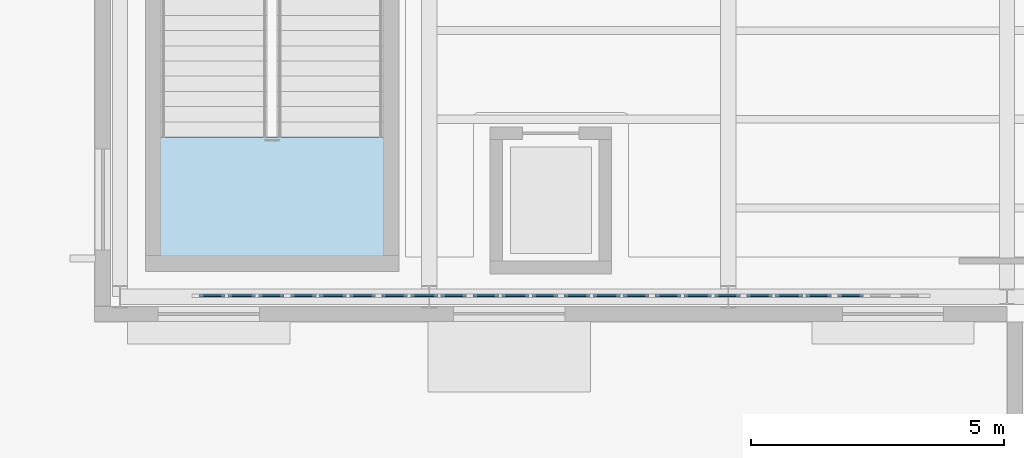
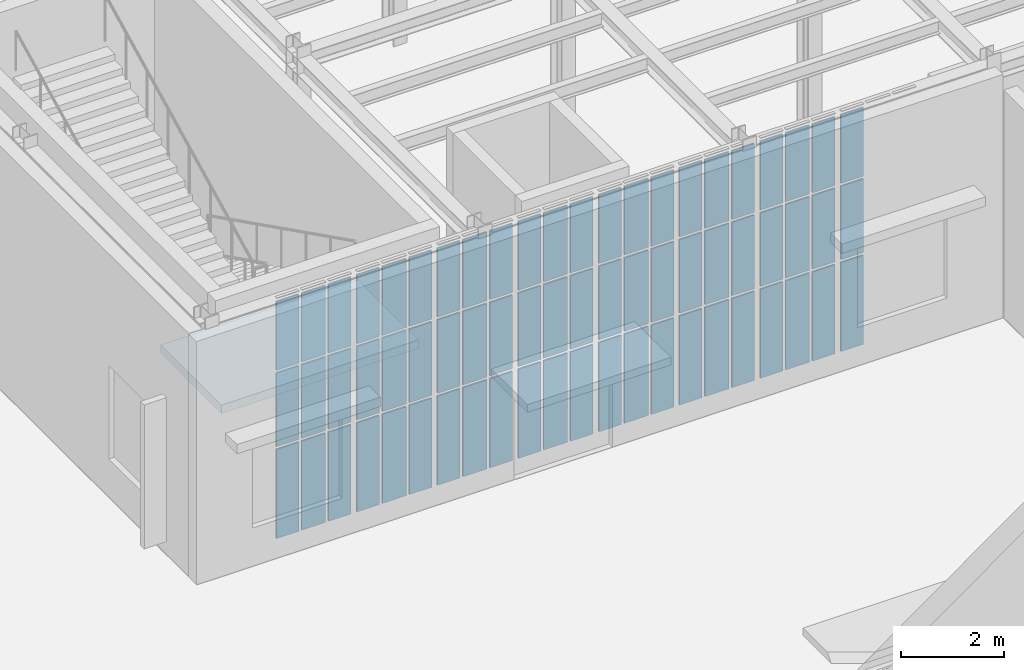
# One storey, part 75 of 118: 66 plates, 1 slab, 9 elements without a shape of their own.
"""IFC4 building model written with IfcOpenShell, lengths in metres."""

import ifcopenshell
import ifcopenshell.guid

model = None  # the IFC model being written
_history = None  # IfcOwnerHistory: only IFC2X3 demands one
_inside = {}  # id of a spatial element -> (the spatial element, [elements in it])
_under = {}  # id of a project, library or spatial element -> (it, [spatial elements below it])
_declared = {}  # id of a project -> (the project, [libraries it declares])
_typed = {}  # id of a type object -> (the type object, [elements of that type])
_made_of = {}  # id of a material, layer set ... -> (it, [elements and type objects made of it])


def new_model(schema):
    """Start an empty IFC model of exactly this schema.

    Asked for "IFC4X3", IfcOpenShell would pick the latest addendum, in which some entities
    have other attributes; the version numbers below select the first issue.
    IFC2X3 requires an IfcOwnerHistory on every rooted entity: one is made here for all.
    """
    global model, _history
    if schema == "IFC4X3":
        model = ifcopenshell.file(schema_version=(4, 3, 0, 0))
    else:
        model = ifcopenshell.file(schema=schema)
    _inside.clear()
    _under.clear()
    _declared.clear()
    _typed.clear()
    _made_of.clear()
    _history = None
    if model.schema == "IFC2X3":
        org = make("IfcOrganization", Name="unknown")
        user = make(
            "IfcPersonAndOrganization",
            ThePerson=make("IfcPerson", FamilyName="unknown"),
            TheOrganization=org,
        )
        app = make(
            "IfcApplication",
            ApplicationDeveloper=org,
            Version="unknown",
            ApplicationFullName="unknown",
            ApplicationIdentifier="unknown",
        )
        _history = make(
            "IfcOwnerHistory",
            OwningUser=user,
            OwningApplication=app,
            ChangeAction="ADDED",
            CreationDate=0,
        )
    return model


def make(cls, **values):
    """One entity of the class cls with the attributes given. An attribute that is None is left unset."""
    return model.create_entity(
        cls, **{name: value for name, value in values.items() if value is not None}
    )


def rooted(cls, **values):
    """An entity with a GlobalId (a new one), such as an element, a storey or a relation."""
    return make(cls, GlobalId=ifcopenshell.guid.new(), OwnerHistory=_history, **values)


def si_unit(unit_type, name, prefix=None):
    """IfcSIUnit, for example si_unit("LENGTHUNIT", "METRE", prefix="MILLI")."""
    return make("IfcSIUnit", UnitType=unit_type, Prefix=prefix, Name=name)


def assignment(units):
    """IfcUnitAssignment: the units of a project."""
    return None if units is None else make("IfcUnitAssignment", Units=units)


def point(xyz):
    """IfcCartesianPoint."""
    return None if xyz is None else make("IfcCartesianPoint", Coordinates=xyz)


def direction(xyz):
    """IfcDirection."""
    return None if xyz is None else make("IfcDirection", DirectionRatios=xyz)


def frame(location, z_axis=None, x_axis=None):
    """IfcAxis2Placement3D, a coordinate frame: its origin and axes. An axis left out is left unset."""
    return make(
        "IfcAxis2Placement3D",
        Location=point(location),
        Axis=direction(z_axis),
        RefDirection=direction(x_axis),
    )


def frame_2d(location, x_axis=None):
    """IfcAxis2Placement2D, a coordinate frame in the plane: its origin and x axis."""
    return make(
        "IfcAxis2Placement2D", Location=point(location), RefDirection=direction(x_axis)
    )


def origin():
    """The frame at (0, 0, 0) with its axes left unset."""
    return frame((0.0, 0.0, 0.0))


def origin_2d():
    """The frame at (0, 0) in the plane with its x axis left unset."""
    return frame_2d((0.0, 0.0))


def place(relative_to, where):
    """IfcLocalPlacement: puts the frame where relative to a parent placement (None: the world)."""
    return make(
        "IfcLocalPlacement", PlacementRelTo=relative_to, RelativePlacement=where
    )


def context(
    kind, dimensions, precision=None, world=None, true_north=None, identifier=None
):
    """IfcGeometricRepresentationContext, for example the 3D "Model" context."""
    return make(
        "IfcGeometricRepresentationContext",
        ContextIdentifier=identifier,
        ContextType=kind,
        CoordinateSpaceDimension=dimensions,
        Precision=precision,
        WorldCoordinateSystem=world,
        TrueNorth=true_north,
    )


def subcontext(parent, identifier, kind, view, scale=None):
    """IfcGeometricRepresentationSubContext, for example "Body" below "Model"."""
    return make(
        "IfcGeometricRepresentationSubContext",
        ContextIdentifier=identifier,
        ContextType=kind,
        ParentContext=parent,
        TargetScale=scale,
        TargetView=view,
    )


def project(units=None, contexts=None):
    """IfcProject with its units and contexts."""
    return rooted(
        "IfcProject",
        Name="project",
        RepresentationContexts=contexts,
        UnitsInContext=assignment(units),
    )


def spatial(cls, under=None, at=None, **own):
    """A site, building, storey or space (cls), placed at a placement, below another one or the project."""
    s = rooted(cls, ObjectPlacement=at, **own)
    if under is not None:
        _under.setdefault(under.id(), (under, []))[1].append(s)
    return s


def polyline(points):
    """IfcPolyline through the points."""
    return make("IfcPolyline", Points=[point(p) for p in points])


def profile(cls, at=None, kind="AREA", **sizes):
    """A parametric profile (cls). Its sizes go by their IFC names, for example OverallWidth=200.0."""
    return make(cls, ProfileType=kind, Position=at, **sizes)


def rectangle(**sizes):
    """IfcRectangleProfileDef."""
    return profile("IfcRectangleProfileDef", **sizes)


def outline(outer, holes=None, kind="AREA"):
    """IfcArbitraryClosedProfileDef: a profile drawn as a closed curve; with holes, ...WithVoids."""
    if holes is None:
        return make("IfcArbitraryClosedProfileDef", ProfileType=kind, OuterCurve=outer)
    return make(
        "IfcArbitraryProfileDefWithVoids",
        ProfileType=kind,
        OuterCurve=outer,
        InnerCurves=holes,
    )


def extrude(swept, where, along, depth):
    """IfcExtrudedAreaSolid: the profile swept, set in the frame where, extruded along a direction by depth."""
    return make(
        "IfcExtrudedAreaSolid",
        SweptArea=swept,
        Position=where,
        ExtrudedDirection=direction(along),
        Depth=depth,
    )


def shape(context_of_items, identifier, shape_type, items):
    """IfcShapeRepresentation: the items that make up one representation, for example the "Body"."""
    return make(
        "IfcShapeRepresentation",
        ContextOfItems=context_of_items,
        RepresentationIdentifier=identifier,
        RepresentationType=shape_type,
        Items=items,
    )


def material(Name=None, Category=None):
    """IfcMaterial."""
    return make("IfcMaterial", Name=Name, Category=Category)


def layer(
    of_material, thickness, ventilated=None, Name=None, Category=None, Priority=None
):
    """IfcMaterialLayer: one layer of a wall or slab, of a material (None: an air gap)."""
    return make(
        "IfcMaterialLayer",
        Material=of_material,
        LayerThickness=thickness,
        IsVentilated=ventilated,
        Name=Name,
        Category=Category,
        Priority=Priority,
    )


def layer_set(layers, Name=None):
    """IfcMaterialLayerSet."""
    return make("IfcMaterialLayerSet", MaterialLayers=layers, LayerSetName=Name)


def made_of(thing, what):
    """Note that an element or type object is made of a material, layer set ...; save() writes the relation."""
    if what is not None:
        _made_of.setdefault(what.id(), (what, []))[1].append(thing)
    return thing


def type_object(cls, material=None, **own):
    """A type object (cls), such as IfcWallType, which elements share."""
    return made_of(rooted(cls, **own), material)


def element(
    cls,
    number,
    at=None,
    inside=None,
    cuts=None,
    type_object=None,
    material=None,
    context=None,
    identifier="Body",
    shape_type=None,
    held_by="IfcProductDefinitionShape",
    body=None,
    shapes=None,
    **own,
):
    """One element of the class cls, such as IfcWall. Its Tag is "e" and its number.

    at: its placement. inside: the storey or other place that contains it. cuts: it is an
    opening in that element (IfcRelVoidsElement). A single representation is given by context,
    identifier, shape_type and body (its items); several are given by shapes. held_by: the class
    of the entity that holds the representations. save() writes the other relations.
    """
    e = rooted(cls, Tag="e%d" % number, ObjectPlacement=at, **own)
    if body is not None:
        shapes = [shape(context, identifier, shape_type, body)]
    if shapes is not None:
        e.Representation = make(held_by, Representations=shapes)
    if inside is not None:
        _inside.setdefault(inside.id(), (inside, []))[1].append(e)
    if cuts is not None:
        rooted(
            "IfcRelVoidsElement", RelatingBuildingElement=cuts, RelatedOpeningElement=e
        )
    if type_object is not None:
        _typed.setdefault(type_object.id(), (type_object, []))[1].append(e)
    return made_of(e, material)


def aggregate(whole, parts):
    """IfcRelAggregates: a whole, such as a stair, and the parts it consists of."""
    return rooted("IfcRelAggregates", RelatingObject=whole, RelatedObjects=parts)


def save(model, path):
    """Write the relations noted so far, then the file.

    IfcRelAggregates (storeys below a building ...), IfcRelContainedInSpatialStructure (elements
    in a storey), IfcRelDefinesByType, IfcRelAssociatesMaterial and IfcRelDeclares: one each for
    every whole, place, type object, material and project.
    """
    for whole, parts in _under.values():
        aggregate(whole, parts)
    for where, things in _inside.values():
        rooted(
            "IfcRelContainedInSpatialStructure",
            RelatedElements=things,
            RelatingStructure=where,
        )
    for kind, things in _typed.values():
        rooted("IfcRelDefinesByType", RelatedObjects=things, RelatingType=kind)
    for what, things in _made_of.values():
        rooted("IfcRelAssociatesMaterial", RelatedObjects=things, RelatingMaterial=what)
    for by, libraries in _declared.values():
        rooted("IfcRelDeclares", RelatingContext=by, RelatedDefinitions=libraries)
    model.write(path)


model = new_model("IFC4")

# Units and contexts
model_context = context("Model", 3, precision=1e-05, world=origin(), true_north=direction((0.0, 1.0)))
body_context = subcontext(model_context, "Body", "Model", "MODEL_VIEW")
ifc_project = project(units=[si_unit("LENGTHUNIT", "METRE"), si_unit("AREAUNIT", "SQUARE_METRE"), si_unit("VOLUMEUNIT", "CUBIC_METRE"), si_unit("PLANEANGLEUNIT", "RADIAN"), si_unit("MASSUNIT", "GRAM", prefix="KILO")], contexts=[model_context])

# Site, building, storey
site_placement = place(None, origin())
site = spatial("IfcSite", under=ifc_project, at=site_placement, CompositionType="ELEMENT")
building_placement = place(site_placement, origin())
building = spatial("IfcBuilding", under=site, at=building_placement, Name="Kolvaren Corner Interchange", CompositionType="ELEMENT")
storey_placement = place(building_placement, origin())
storey = spatial("IfcBuildingStorey", under=building, at=storey_placement, Name="L01", CompositionType="ELEMENT", Elevation=0.0)

# Curtain wall, plates
ifc_material_1 = material(Name="Unitised Aluminium and Solar-Control Glass Curtain Wall", Category="aluminium")
curtain_wall_type = type_object("IfcCurtainWallType", Name="CW-V3-CYCLE", PredefinedType="NOTDEFINED", material=ifc_material_1)
curtain_wall_1_placement = place(storey_placement, origin())
curtain_wall_1 = element("IfcCurtainWall", 1, at=curtain_wall_1_placement, inside=storey, type_object=curtain_wall_type, Name="Cycle Showcase Ground Curtain Wall Bay 01", PredefinedType="NOTDEFINED")
ifc_material_2 = material(Name="Low-E Solar-Control Laminated Glass", Category="glass")
ifc_layer_1 = layer(ifc_material_2, 0.035888671875)
ifc_layer_set_1 = layer_set([ifc_layer_1], Name="Low-E Solar-Control Laminated Glass")
plate_type = type_object("IfcPlateType", Name="PLT-CW-GL32", PredefinedType="CURTAIN_PANEL", material=ifc_layer_set_1)
plate_1_placement = place(storey_placement, frame((68.316162109375, 84.52001953125, 0.06494140625), z_axis=(0.0, 0.0, 1.0), x_axis=(1.0, 0.0, 0.0)))
plate_1 = element("IfcPlate", 2, at=plate_1_placement, type_object=plate_type, Name="CW-106 panel 1.1", PredefinedType="CURTAIN_PANEL", context=body_context, shape_type="SweptSolid", body=[
    extrude(rectangle(XDim=0.50244140625, YDim=0.035888671875, at=origin_2d()), origin(), (0.0, 0.0, 1.0), 2.1025390625),
])
plate_2_placement = place(storey_placement, frame((68.316162109375, 84.52001953125, 2.232421875), z_axis=(0.0, 0.0, 1.0), x_axis=(1.0, 0.0, 0.0)))
plate_2 = element("IfcPlate", 3, at=plate_2_placement, type_object=plate_type, Name="CW-106 panel 1.2", PredefinedType="CURTAIN_PANEL", context=body_context, shape_type="SweptSolid", body=[
    extrude(rectangle(XDim=0.50244140625, YDim=0.035888671875, at=origin_2d()), origin(), (0.0, 0.0, 1.0), 1.735107421875),
])
plate_3_placement = place(storey_placement, frame((68.316162109375, 84.52001953125, 4.032470703125), z_axis=(0.0, 0.0, 1.0), x_axis=(1.0, 0.0, 0.0)))
plate_3 = element("IfcPlate", 4, at=plate_3_placement, type_object=plate_type, Name="CW-106 panel 1.3", PredefinedType="CURTAIN_PANEL", context=body_context, shape_type="SweptSolid", body=[
    extrude(rectangle(XDim=0.50244140625, YDim=0.035888671875, at=origin_2d()), origin(), (0.0, 0.0, 1.0), 1.62255859375),
])
plate_4_placement = place(storey_placement, frame((68.89990234375, 84.52001953125, 0.06494140625), z_axis=(0.0, 0.0, 1.0), x_axis=(1.0, 0.0, 0.0)))
plate_4 = element("IfcPlate", 5, at=plate_4_placement, type_object=plate_type, Name="CW-106 panel 2.1", PredefinedType="CURTAIN_PANEL", context=body_context, shape_type="SweptSolid", body=[
    extrude(rectangle(XDim=0.534912109375, YDim=0.035888671875, at=origin_2d()), origin(), (0.0, 0.0, 1.0), 2.1025390625),
])
plate_5_placement = place(storey_placement, frame((68.89990234375, 84.52001953125, 2.232421875), z_axis=(0.0, 0.0, 1.0), x_axis=(1.0, 0.0, 0.0)))
plate_5 = element("IfcPlate", 6, at=plate_5_placement, type_object=plate_type, Name="CW-106 panel 2.2", PredefinedType="CURTAIN_PANEL", context=body_context, shape_type="SweptSolid", body=[
    extrude(rectangle(XDim=0.534912109375, YDim=0.035888671875, at=origin_2d()), origin(), (0.0, 0.0, 1.0), 1.735107421875),
])
plate_6_placement = place(storey_placement, frame((68.89990234375, 84.52001953125, 4.032470703125), z_axis=(0.0, 0.0, 1.0), x_axis=(1.0, 0.0, 0.0)))
plate_6 = element("IfcPlate", 7, at=plate_6_placement, type_object=plate_type, Name="CW-106 panel 2.3", PredefinedType="CURTAIN_PANEL", context=body_context, shape_type="SweptSolid", body=[
    extrude(rectangle(XDim=0.534912109375, YDim=0.035888671875, at=origin_2d()), origin(), (0.0, 0.0, 1.0), 1.62255859375),
])
plate_7_placement = place(storey_placement, frame((69.483642578125, 84.52001953125, 0.06494140625), z_axis=(0.0, 0.0, 1.0), x_axis=(1.0, 0.0, 0.0)))
plate_7 = element("IfcPlate", 8, at=plate_7_placement, type_object=plate_type, Name="CW-106 panel 3.1", PredefinedType="CURTAIN_PANEL", context=body_context, shape_type="SweptSolid", body=[
    extrude(rectangle(XDim=0.50244140625, YDim=0.035888671875, at=origin_2d()), origin(), (0.0, 0.0, 1.0), 2.1025390625),
])
plate_8_placement = place(storey_placement, frame((69.483642578125, 84.52001953125, 2.232421875), z_axis=(0.0, 0.0, 1.0), x_axis=(1.0, 0.0, 0.0)))
plate_8 = element("IfcPlate", 9, at=plate_8_placement, type_object=plate_type, Name="CW-106 panel 3.2", PredefinedType="CURTAIN_PANEL", context=body_context, shape_type="SweptSolid", body=[
    extrude(rectangle(XDim=0.50244140625, YDim=0.035888671875, at=origin_2d()), origin(), (0.0, 0.0, 1.0), 1.735107421875),
])
plate_9_placement = place(storey_placement, frame((69.483642578125, 84.52001953125, 4.032470703125), z_axis=(0.0, 0.0, 1.0), x_axis=(1.0, 0.0, 0.0)))
plate_9 = element("IfcPlate", 10, at=plate_9_placement, type_object=plate_type, Name="CW-106 panel 3.3", PredefinedType="CURTAIN_PANEL", context=body_context, shape_type="SweptSolid", body=[
    extrude(rectangle(XDim=0.50244140625, YDim=0.035888671875, at=origin_2d()), origin(), (0.0, 0.0, 1.0), 1.62255859375),
])
aggregate(curtain_wall_1, [plate_1, plate_2, plate_3, plate_4, plate_5, plate_6, plate_7, plate_8, plate_9])

curtain_wall_2_placement = place(storey_placement, origin())
curtain_wall_2 = element("IfcCurtainWall", 11, at=curtain_wall_2_placement, inside=storey, type_object=curtain_wall_type, Name="Cycle Showcase Ground Curtain Wall Bay 02", PredefinedType="NOTDEFINED")
plate_10_placement = place(storey_placement, frame((70.1162109375, 84.52001953125, 0.06494140625), z_axis=(0.0, 0.0, 1.0), x_axis=(1.0, 0.0, 0.0)))
plate_10 = element("IfcPlate", 12, at=plate_10_placement, type_object=plate_type, Name="CW-107 panel 1.1", PredefinedType="CURTAIN_PANEL", context=body_context, shape_type="SweptSolid", body=[
    extrude(rectangle(XDim=0.50244140625, YDim=0.035888671875, at=origin_2d()), origin(), (0.0, 0.0, 1.0), 2.1025390625),
])
plate_11_placement = place(storey_placement, frame((70.1162109375, 84.52001953125, 2.232421875), z_axis=(0.0, 0.0, 1.0), x_axis=(1.0, 0.0, 0.0)))
plate_11 = element("IfcPlate", 13, at=plate_11_placement, type_object=plate_type, Name="CW-107 panel 1.2", PredefinedType="CURTAIN_PANEL", context=body_context, shape_type="SweptSolid", body=[
    extrude(rectangle(XDim=0.50244140625, YDim=0.035888671875, at=origin_2d()), origin(), (0.0, 0.0, 1.0), 1.735107421875),
])
plate_12_placement = place(storey_placement, frame((70.1162109375, 84.52001953125, 4.032470703125), z_axis=(0.0, 0.0, 1.0), x_axis=(1.0, 0.0, 0.0)))
plate_12 = element("IfcPlate", 14, at=plate_12_placement, type_object=plate_type, Name="CW-107 panel 1.3", PredefinedType="CURTAIN_PANEL", context=body_context, shape_type="SweptSolid", body=[
    extrude(rectangle(XDim=0.50244140625, YDim=0.035888671875, at=origin_2d()), origin(), (0.0, 0.0, 1.0), 1.62255859375),
])
plate_13_placement = place(storey_placement, frame((70.699951171875, 84.52001953125, 0.06494140625), z_axis=(0.0, 0.0, 1.0), x_axis=(1.0, 0.0, 0.0)))
plate_13 = element("IfcPlate", 15, at=plate_13_placement, type_object=plate_type, Name="CW-107 panel 2.1", PredefinedType="CURTAIN_PANEL", context=body_context, shape_type="SweptSolid", body=[
    extrude(rectangle(XDim=0.534912109375, YDim=0.035888671875, at=origin_2d()), origin(), (0.0, 0.0, 1.0), 2.1025390625),
])
plate_14_placement = place(storey_placement, frame((70.699951171875, 84.52001953125, 2.232421875), z_axis=(0.0, 0.0, 1.0), x_axis=(1.0, 0.0, 0.0)))
plate_14 = element("IfcPlate", 16, at=plate_14_placement, type_object=plate_type, Name="CW-107 panel 2.2", PredefinedType="CURTAIN_PANEL", context=body_context, shape_type="SweptSolid", body=[
    extrude(rectangle(XDim=0.534912109375, YDim=0.035888671875, at=origin_2d()), origin(), (0.0, 0.0, 1.0), 1.735107421875),
])
plate_15_placement = place(storey_placement, frame((70.699951171875, 84.52001953125, 4.032470703125), z_axis=(0.0, 0.0, 1.0), x_axis=(1.0, 0.0, 0.0)))
plate_15 = element("IfcPlate", 17, at=plate_15_placement, type_object=plate_type, Name="CW-107 panel 2.3", PredefinedType="CURTAIN_PANEL", context=body_context, shape_type="SweptSolid", body=[
    extrude(rectangle(XDim=0.534912109375, YDim=0.035888671875, at=origin_2d()), origin(), (0.0, 0.0, 1.0), 1.62255859375),
])
plate_16_placement = place(storey_placement, frame((71.28369140625, 84.52001953125, 0.06494140625), z_axis=(0.0, 0.0, 1.0), x_axis=(1.0, 0.0, 0.0)))
plate_16 = element("IfcPlate", 18, at=plate_16_placement, type_object=plate_type, Name="CW-107 panel 3.1", PredefinedType="CURTAIN_PANEL", context=body_context, shape_type="SweptSolid", body=[
    extrude(rectangle(XDim=0.50244140625, YDim=0.035888671875, at=origin_2d()), origin(), (0.0, 0.0, 1.0), 2.1025390625),
])
plate_17_placement = place(storey_placement, frame((71.28369140625, 84.52001953125, 2.232421875), z_axis=(0.0, 0.0, 1.0), x_axis=(1.0, 0.0, 0.0)))
plate_17 = element("IfcPlate", 19, at=plate_17_placement, type_object=plate_type, Name="CW-107 panel 3.2", PredefinedType="CURTAIN_PANEL", context=body_context, shape_type="SweptSolid", body=[
    extrude(rectangle(XDim=0.50244140625, YDim=0.035888671875, at=origin_2d()), origin(), (0.0, 0.0, 1.0), 1.735107421875),
])
plate_18_placement = place(storey_placement, frame((71.28369140625, 84.52001953125, 4.032470703125), z_axis=(0.0, 0.0, 1.0), x_axis=(1.0, 0.0, 0.0)))
plate_18 = element("IfcPlate", 20, at=plate_18_placement, type_object=plate_type, Name="CW-107 panel 3.3", PredefinedType="CURTAIN_PANEL", context=body_context, shape_type="SweptSolid", body=[
    extrude(rectangle(XDim=0.50244140625, YDim=0.035888671875, at=origin_2d()), origin(), (0.0, 0.0, 1.0), 1.62255859375),
])
aggregate(curtain_wall_2, [plate_10, plate_11, plate_12, plate_13, plate_14, plate_15, plate_16, plate_17, plate_18])

curtain_wall_3_placement = place(storey_placement, origin())
curtain_wall_3 = element("IfcCurtainWall", 21, at=curtain_wall_3_placement, inside=storey, type_object=curtain_wall_type, Name="Cycle Showcase Ground Curtain Wall Bay 03", PredefinedType="NOTDEFINED")
plate_19_placement = place(storey_placement, frame((71.916259765625, 84.52001953125, 0.06494140625), z_axis=(0.0, 0.0, 1.0), x_axis=(1.0, 0.0, 0.0)))
plate_19 = element("IfcPlate", 22, at=plate_19_placement, type_object=plate_type, Name="CW-108 panel 1.1", PredefinedType="CURTAIN_PANEL", context=body_context, shape_type="SweptSolid", body=[
    extrude(rectangle(XDim=0.50244140625, YDim=0.035888671875, at=origin_2d()), origin(), (0.0, 0.0, 1.0), 2.1025390625),
])
plate_20_placement = place(storey_placement, frame((71.916259765625, 84.52001953125, 2.232421875), z_axis=(0.0, 0.0, 1.0), x_axis=(1.0, 0.0, 0.0)))
plate_20 = element("IfcPlate", 23, at=plate_20_placement, type_object=plate_type, Name="CW-108 panel 1.2", PredefinedType="CURTAIN_PANEL", context=body_context, shape_type="SweptSolid", body=[
    extrude(rectangle(XDim=0.50244140625, YDim=0.035888671875, at=origin_2d()), origin(), (0.0, 0.0, 1.0), 1.735107421875),
])
plate_21_placement = place(storey_placement, frame((71.916259765625, 84.52001953125, 4.032470703125), z_axis=(0.0, 0.0, 1.0), x_axis=(1.0, 0.0, 0.0)))
plate_21 = element("IfcPlate", 24, at=plate_21_placement, type_object=plate_type, Name="CW-108 panel 1.3", PredefinedType="CURTAIN_PANEL", context=body_context, shape_type="SweptSolid", body=[
    extrude(rectangle(XDim=0.50244140625, YDim=0.035888671875, at=origin_2d()), origin(), (0.0, 0.0, 1.0), 1.62255859375),
])
plate_22_placement = place(storey_placement, frame((72.5, 84.52001953125, 0.06494140625), z_axis=(0.0, 0.0, 1.0), x_axis=(1.0, 0.0, 0.0)))
plate_22 = element("IfcPlate", 25, at=plate_22_placement, type_object=plate_type, Name="CW-108 panel 2.1", PredefinedType="CURTAIN_PANEL", context=body_context, shape_type="SweptSolid", body=[
    extrude(rectangle(XDim=0.534912109375, YDim=0.035888671875, at=origin_2d()), origin(), (0.0, 0.0, 1.0), 2.1025390625),
])
plate_23_placement = place(storey_placement, frame((72.5, 84.52001953125, 2.232421875), z_axis=(0.0, 0.0, 1.0), x_axis=(1.0, 0.0, 0.0)))
plate_23 = element("IfcPlate", 26, at=plate_23_placement, type_object=plate_type, Name="CW-108 panel 2.2", PredefinedType="CURTAIN_PANEL", context=body_context, shape_type="SweptSolid", body=[
    extrude(rectangle(XDim=0.534912109375, YDim=0.035888671875, at=origin_2d()), origin(), (0.0, 0.0, 1.0), 1.735107421875),
])
plate_24_placement = place(storey_placement, frame((72.5, 84.52001953125, 4.032470703125), z_axis=(0.0, 0.0, 1.0), x_axis=(1.0, 0.0, 0.0)))
plate_24 = element("IfcPlate", 27, at=plate_24_placement, type_object=plate_type, Name="CW-108 panel 2.3", PredefinedType="CURTAIN_PANEL", context=body_context, shape_type="SweptSolid", body=[
    extrude(rectangle(XDim=0.534912109375, YDim=0.035888671875, at=origin_2d()), origin(), (0.0, 0.0, 1.0), 1.62255859375),
])
plate_25_placement = place(storey_placement, frame((73.083740234375, 84.52001953125, 0.06494140625), z_axis=(0.0, 0.0, 1.0), x_axis=(1.0, 0.0, 0.0)))
plate_25 = element("IfcPlate", 28, at=plate_25_placement, type_object=plate_type, Name="CW-108 panel 3.1", PredefinedType="CURTAIN_PANEL", context=body_context, shape_type="SweptSolid", body=[
    extrude(rectangle(XDim=0.50244140625, YDim=0.035888671875, at=origin_2d()), origin(), (0.0, 0.0, 1.0), 2.1025390625),
])
plate_26_placement = place(storey_placement, frame((73.083740234375, 84.52001953125, 2.232421875), z_axis=(0.0, 0.0, 1.0), x_axis=(1.0, 0.0, 0.0)))
plate_26 = element("IfcPlate", 29, at=plate_26_placement, type_object=plate_type, Name="CW-108 panel 3.2", PredefinedType="CURTAIN_PANEL", context=body_context, shape_type="SweptSolid", body=[
    extrude(rectangle(XDim=0.50244140625, YDim=0.035888671875, at=origin_2d()), origin(), (0.0, 0.0, 1.0), 1.735107421875),
])
plate_27_placement = place(storey_placement, frame((73.083740234375, 84.52001953125, 4.032470703125), z_axis=(0.0, 0.0, 1.0), x_axis=(1.0, 0.0, 0.0)))
plate_27 = element("IfcPlate", 30, at=plate_27_placement, type_object=plate_type, Name="CW-108 panel 3.3", PredefinedType="CURTAIN_PANEL", context=body_context, shape_type="SweptSolid", body=[
    extrude(rectangle(XDim=0.50244140625, YDim=0.035888671875, at=origin_2d()), origin(), (0.0, 0.0, 1.0), 1.62255859375),
])
aggregate(curtain_wall_3, [plate_19, plate_20, plate_21, plate_22, plate_23, plate_24, plate_25, plate_26, plate_27])

curtain_wall_4_placement = place(storey_placement, origin())
curtain_wall_4 = element("IfcCurtainWall", 31, at=curtain_wall_4_placement, inside=storey, type_object=curtain_wall_type, Name="Cycle Showcase Ground Curtain Wall Bay 04", PredefinedType="NOTDEFINED")
plate_28_placement = place(storey_placement, frame((73.71630859375, 84.52001953125, 0.06494140625), z_axis=(0.0, 0.0, 1.0), x_axis=(1.0, 0.0, 0.0)))
plate_28 = element("IfcPlate", 32, at=plate_28_placement, type_object=plate_type, Name="CW-109 panel 1.1", PredefinedType="CURTAIN_PANEL", context=body_context, shape_type="SweptSolid", body=[
    extrude(rectangle(XDim=0.50244140625, YDim=0.035888671875, at=origin_2d()), origin(), (0.0, 0.0, 1.0), 2.1025390625),
])
plate_29_placement = place(storey_placement, frame((73.71630859375, 84.52001953125, 2.232421875), z_axis=(0.0, 0.0, 1.0), x_axis=(1.0, 0.0, 0.0)))
plate_29 = element("IfcPlate", 33, at=plate_29_placement, type_object=plate_type, Name="CW-109 panel 1.2", PredefinedType="CURTAIN_PANEL", context=body_context, shape_type="SweptSolid", body=[
    extrude(rectangle(XDim=0.50244140625, YDim=0.035888671875, at=origin_2d()), origin(), (0.0, 0.0, 1.0), 1.735107421875),
])
plate_30_placement = place(storey_placement, frame((73.71630859375, 84.52001953125, 4.032470703125), z_axis=(0.0, 0.0, 1.0), x_axis=(1.0, 0.0, 0.0)))
plate_30 = element("IfcPlate", 34, at=plate_30_placement, type_object=plate_type, Name="CW-109 panel 1.3", PredefinedType="CURTAIN_PANEL", context=body_context, shape_type="SweptSolid", body=[
    extrude(rectangle(XDim=0.50244140625, YDim=0.035888671875, at=origin_2d()), origin(), (0.0, 0.0, 1.0), 1.62255859375),
])
plate_31_placement = place(storey_placement, frame((74.300048828125, 84.52001953125, 0.06494140625), z_axis=(0.0, 0.0, 1.0), x_axis=(1.0, 0.0, 0.0)))
plate_31 = element("IfcPlate", 35, at=plate_31_placement, type_object=plate_type, Name="CW-109 panel 2.1", PredefinedType="CURTAIN_PANEL", context=body_context, shape_type="SweptSolid", body=[
    extrude(rectangle(XDim=0.534912109375, YDim=0.035888671875, at=origin_2d()), origin(), (0.0, 0.0, 1.0), 2.1025390625),
])
plate_32_placement = place(storey_placement, frame((74.300048828125, 84.52001953125, 2.232421875), z_axis=(0.0, 0.0, 1.0), x_axis=(1.0, 0.0, 0.0)))
plate_32 = element("IfcPlate", 36, at=plate_32_placement, type_object=plate_type, Name="CW-109 panel 2.2", PredefinedType="CURTAIN_PANEL", context=body_context, shape_type="SweptSolid", body=[
    extrude(rectangle(XDim=0.534912109375, YDim=0.035888671875, at=origin_2d()), origin(), (0.0, 0.0, 1.0), 1.735107421875),
])
plate_33_placement = place(storey_placement, frame((74.300048828125, 84.52001953125, 4.032470703125), z_axis=(0.0, 0.0, 1.0), x_axis=(1.0, 0.0, 0.0)))
plate_33 = element("IfcPlate", 37, at=plate_33_placement, type_object=plate_type, Name="CW-109 panel 2.3", PredefinedType="CURTAIN_PANEL", context=body_context, shape_type="SweptSolid", body=[
    extrude(rectangle(XDim=0.534912109375, YDim=0.035888671875, at=origin_2d()), origin(), (0.0, 0.0, 1.0), 1.62255859375),
])
plate_34_placement = place(storey_placement, frame((74.8837890625, 84.52001953125, 0.06494140625), z_axis=(0.0, 0.0, 1.0), x_axis=(1.0, 0.0, 0.0)))
plate_34 = element("IfcPlate", 38, at=plate_34_placement, type_object=plate_type, Name="CW-109 panel 3.1", PredefinedType="CURTAIN_PANEL", context=body_context, shape_type="SweptSolid", body=[
    extrude(rectangle(XDim=0.50244140625, YDim=0.035888671875, at=origin_2d()), origin(), (0.0, 0.0, 1.0), 2.1025390625),
])
plate_35_placement = place(storey_placement, frame((74.8837890625, 84.52001953125, 2.232421875), z_axis=(0.0, 0.0, 1.0), x_axis=(1.0, 0.0, 0.0)))
plate_35 = element("IfcPlate", 39, at=plate_35_placement, type_object=plate_type, Name="CW-109 panel 3.2", PredefinedType="CURTAIN_PANEL", context=body_context, shape_type="SweptSolid", body=[
    extrude(rectangle(XDim=0.50244140625, YDim=0.035888671875, at=origin_2d()), origin(), (0.0, 0.0, 1.0), 1.735107421875),
])
plate_36_placement = place(storey_placement, frame((74.8837890625, 84.52001953125, 4.032470703125), z_axis=(0.0, 0.0, 1.0), x_axis=(1.0, 0.0, 0.0)))
plate_36 = element("IfcPlate", 40, at=plate_36_placement, type_object=plate_type, Name="CW-109 panel 3.3", PredefinedType="CURTAIN_PANEL", context=body_context, shape_type="SweptSolid", body=[
    extrude(rectangle(XDim=0.50244140625, YDim=0.035888671875, at=origin_2d()), origin(), (0.0, 0.0, 1.0), 1.62255859375),
])
aggregate(curtain_wall_4, [plate_28, plate_29, plate_30, plate_31, plate_32, plate_33, plate_34, plate_35, plate_36])

curtain_wall_5_placement = place(storey_placement, origin())
curtain_wall_5 = element("IfcCurtainWall", 41, at=curtain_wall_5_placement, inside=storey, type_object=curtain_wall_type, Name="Cycle Showcase Ground Curtain Wall Bay 05", PredefinedType="NOTDEFINED")
plate_37_placement = place(storey_placement, frame((75.516357421875, 84.52001953125, 0.06494140625), z_axis=(0.0, 0.0, 1.0), x_axis=(1.0, 0.0, 0.0)))
plate_37 = element("IfcPlate", 42, at=plate_37_placement, type_object=plate_type, Name="CW-110 panel 1.1", PredefinedType="CURTAIN_PANEL", context=body_context, shape_type="SweptSolid", body=[
    extrude(rectangle(XDim=0.50244140625, YDim=0.035888671875, at=origin_2d()), origin(), (0.0, 0.0, 1.0), 2.1025390625),
])
plate_38_placement = place(storey_placement, frame((75.516357421875, 84.52001953125, 2.232421875), z_axis=(0.0, 0.0, 1.0), x_axis=(1.0, 0.0, 0.0)))
plate_38 = element("IfcPlate", 43, at=plate_38_placement, type_object=plate_type, Name="CW-110 panel 1.2", PredefinedType="CURTAIN_PANEL", context=body_context, shape_type="SweptSolid", body=[
    extrude(rectangle(XDim=0.50244140625, YDim=0.035888671875, at=origin_2d()), origin(), (0.0, 0.0, 1.0), 1.735107421875),
])
plate_39_placement = place(storey_placement, frame((75.516357421875, 84.52001953125, 4.032470703125), z_axis=(0.0, 0.0, 1.0), x_axis=(1.0, 0.0, 0.0)))
plate_39 = element("IfcPlate", 44, at=plate_39_placement, type_object=plate_type, Name="CW-110 panel 1.3", PredefinedType="CURTAIN_PANEL", context=body_context, shape_type="SweptSolid", body=[
    extrude(rectangle(XDim=0.50244140625, YDim=0.035888671875, at=origin_2d()), origin(), (0.0, 0.0, 1.0), 1.62255859375),
])
plate_40_placement = place(storey_placement, frame((76.10009765625, 84.52001953125, 0.06494140625), z_axis=(0.0, 0.0, 1.0), x_axis=(1.0, 0.0, 0.0)))
plate_40 = element("IfcPlate", 45, at=plate_40_placement, type_object=plate_type, Name="CW-110 panel 2.1", PredefinedType="CURTAIN_PANEL", context=body_context, shape_type="SweptSolid", body=[
    extrude(rectangle(XDim=0.534912109375, YDim=0.035888671875, at=origin_2d()), origin(), (0.0, 0.0, 1.0), 2.1025390625),
])
plate_41_placement = place(storey_placement, frame((76.10009765625, 84.52001953125, 2.232421875), z_axis=(0.0, 0.0, 1.0), x_axis=(1.0, 0.0, 0.0)))
plate_41 = element("IfcPlate", 46, at=plate_41_placement, type_object=plate_type, Name="CW-110 panel 2.2", PredefinedType="CURTAIN_PANEL", context=body_context, shape_type="SweptSolid", body=[
    extrude(rectangle(XDim=0.534912109375, YDim=0.035888671875, at=origin_2d()), origin(), (0.0, 0.0, 1.0), 1.735107421875),
])
plate_42_placement = place(storey_placement, frame((76.10009765625, 84.52001953125, 4.032470703125), z_axis=(0.0, 0.0, 1.0), x_axis=(1.0, 0.0, 0.0)))
plate_42 = element("IfcPlate", 47, at=plate_42_placement, type_object=plate_type, Name="CW-110 panel 2.3", PredefinedType="CURTAIN_PANEL", context=body_context, shape_type="SweptSolid", body=[
    extrude(rectangle(XDim=0.534912109375, YDim=0.035888671875, at=origin_2d()), origin(), (0.0, 0.0, 1.0), 1.62255859375),
])
plate_43_placement = place(storey_placement, frame((76.683837890625, 84.52001953125, 0.06494140625), z_axis=(0.0, 0.0, 1.0), x_axis=(1.0, 0.0, 0.0)))
plate_43 = element("IfcPlate", 48, at=plate_43_placement, type_object=plate_type, Name="CW-110 panel 3.1", PredefinedType="CURTAIN_PANEL", context=body_context, shape_type="SweptSolid", body=[
    extrude(rectangle(XDim=0.50244140625, YDim=0.035888671875, at=origin_2d()), origin(), (0.0, 0.0, 1.0), 2.1025390625),
])
plate_44_placement = place(storey_placement, frame((76.683837890625, 84.52001953125, 2.232421875), z_axis=(0.0, 0.0, 1.0), x_axis=(1.0, 0.0, 0.0)))
plate_44 = element("IfcPlate", 49, at=plate_44_placement, type_object=plate_type, Name="CW-110 panel 3.2", PredefinedType="CURTAIN_PANEL", context=body_context, shape_type="SweptSolid", body=[
    extrude(rectangle(XDim=0.50244140625, YDim=0.035888671875, at=origin_2d()), origin(), (0.0, 0.0, 1.0), 1.735107421875),
])
plate_45_placement = place(storey_placement, frame((76.683837890625, 84.52001953125, 4.032470703125), z_axis=(0.0, 0.0, 1.0), x_axis=(1.0, 0.0, 0.0)))
plate_45 = element("IfcPlate", 50, at=plate_45_placement, type_object=plate_type, Name="CW-110 panel 3.3", PredefinedType="CURTAIN_PANEL", context=body_context, shape_type="SweptSolid", body=[
    extrude(rectangle(XDim=0.50244140625, YDim=0.035888671875, at=origin_2d()), origin(), (0.0, 0.0, 1.0), 1.62255859375),
])
aggregate(curtain_wall_5, [plate_37, plate_38, plate_39, plate_40, plate_41, plate_42, plate_43, plate_44, plate_45])

curtain_wall_6_placement = place(storey_placement, origin())
curtain_wall_6 = element("IfcCurtainWall", 51, at=curtain_wall_6_placement, inside=storey, type_object=curtain_wall_type, Name="Cycle Showcase Ground Curtain Wall Bay 06", PredefinedType="NOTDEFINED")
plate_46_placement = place(storey_placement, frame((77.316162109375, 84.52001953125, 0.06494140625), z_axis=(0.0, 0.0, 1.0), x_axis=(1.0, 0.0, 0.0)))
plate_46 = element("IfcPlate", 52, at=plate_46_placement, type_object=plate_type, Name="CW-111 panel 1.1", PredefinedType="CURTAIN_PANEL", context=body_context, shape_type="SweptSolid", body=[
    extrude(rectangle(XDim=0.50244140625, YDim=0.035888671875, at=origin_2d()), origin(), (0.0, 0.0, 1.0), 2.1025390625),
])
plate_47_placement = place(storey_placement, frame((77.316162109375, 84.52001953125, 2.232421875), z_axis=(0.0, 0.0, 1.0), x_axis=(1.0, 0.0, 0.0)))
plate_47 = element("IfcPlate", 53, at=plate_47_placement, type_object=plate_type, Name="CW-111 panel 1.2", PredefinedType="CURTAIN_PANEL", context=body_context, shape_type="SweptSolid", body=[
    extrude(rectangle(XDim=0.50244140625, YDim=0.035888671875, at=origin_2d()), origin(), (0.0, 0.0, 1.0), 1.735107421875),
])
plate_48_placement = place(storey_placement, frame((77.316162109375, 84.52001953125, 4.032470703125), z_axis=(0.0, 0.0, 1.0), x_axis=(1.0, 0.0, 0.0)))
plate_48 = element("IfcPlate", 54, at=plate_48_placement, type_object=plate_type, Name="CW-111 panel 1.3", PredefinedType="CURTAIN_PANEL", context=body_context, shape_type="SweptSolid", body=[
    extrude(rectangle(XDim=0.50244140625, YDim=0.035888671875, at=origin_2d()), origin(), (0.0, 0.0, 1.0), 1.62255859375),
])
plate_49_placement = place(storey_placement, frame((77.89990234375, 84.52001953125, 0.06494140625), z_axis=(0.0, 0.0, 1.0), x_axis=(1.0, 0.0, 0.0)))
plate_49 = element("IfcPlate", 55, at=plate_49_placement, type_object=plate_type, Name="CW-111 panel 2.1", PredefinedType="CURTAIN_PANEL", context=body_context, shape_type="SweptSolid", body=[
    extrude(rectangle(XDim=0.534912109375, YDim=0.035888671875, at=origin_2d()), origin(), (0.0, 0.0, 1.0), 2.1025390625),
])
plate_50_placement = place(storey_placement, frame((77.89990234375, 84.52001953125, 2.232421875), z_axis=(0.0, 0.0, 1.0), x_axis=(1.0, 0.0, 0.0)))
plate_50 = element("IfcPlate", 56, at=plate_50_placement, type_object=plate_type, Name="CW-111 panel 2.2", PredefinedType="CURTAIN_PANEL", context=body_context, shape_type="SweptSolid", body=[
    extrude(rectangle(XDim=0.534912109375, YDim=0.035888671875, at=origin_2d()), origin(), (0.0, 0.0, 1.0), 1.735107421875),
])
plate_51_placement = place(storey_placement, frame((77.89990234375, 84.52001953125, 4.032470703125), z_axis=(0.0, 0.0, 1.0), x_axis=(1.0, 0.0, 0.0)))
plate_51 = element("IfcPlate", 57, at=plate_51_placement, type_object=plate_type, Name="CW-111 panel 2.3", PredefinedType="CURTAIN_PANEL", context=body_context, shape_type="SweptSolid", body=[
    extrude(rectangle(XDim=0.534912109375, YDim=0.035888671875, at=origin_2d()), origin(), (0.0, 0.0, 1.0), 1.62255859375),
])
plate_52_placement = place(storey_placement, frame((78.483642578125, 84.52001953125, 0.06494140625), z_axis=(0.0, 0.0, 1.0), x_axis=(1.0, 0.0, 0.0)))
plate_52 = element("IfcPlate", 58, at=plate_52_placement, type_object=plate_type, Name="CW-111 panel 3.1", PredefinedType="CURTAIN_PANEL", context=body_context, shape_type="SweptSolid", body=[
    extrude(rectangle(XDim=0.50244140625, YDim=0.035888671875, at=origin_2d()), origin(), (0.0, 0.0, 1.0), 2.1025390625),
])
plate_53_placement = place(storey_placement, frame((78.483642578125, 84.52001953125, 2.232421875), z_axis=(0.0, 0.0, 1.0), x_axis=(1.0, 0.0, 0.0)))
plate_53 = element("IfcPlate", 59, at=plate_53_placement, type_object=plate_type, Name="CW-111 panel 3.2", PredefinedType="CURTAIN_PANEL", context=body_context, shape_type="SweptSolid", body=[
    extrude(rectangle(XDim=0.50244140625, YDim=0.035888671875, at=origin_2d()), origin(), (0.0, 0.0, 1.0), 1.735107421875),
])
plate_54_placement = place(storey_placement, frame((78.483642578125, 84.52001953125, 4.032470703125), z_axis=(0.0, 0.0, 1.0), x_axis=(1.0, 0.0, 0.0)))
plate_54 = element("IfcPlate", 60, at=plate_54_placement, type_object=plate_type, Name="CW-111 panel 3.3", PredefinedType="CURTAIN_PANEL", context=body_context, shape_type="SweptSolid", body=[
    extrude(rectangle(XDim=0.50244140625, YDim=0.035888671875, at=origin_2d()), origin(), (0.0, 0.0, 1.0), 1.62255859375),
])
aggregate(curtain_wall_6, [plate_46, plate_47, plate_48, plate_49, plate_50, plate_51, plate_52, plate_53, plate_54])

curtain_wall_7_placement = place(storey_placement, origin())
curtain_wall_7 = element("IfcCurtainWall", 61, at=curtain_wall_7_placement, inside=storey, type_object=curtain_wall_type, Name="Cycle Showcase Ground Curtain Wall Bay 07", PredefinedType="NOTDEFINED")
plate_55_placement = place(storey_placement, frame((79.1162109375, 84.52001953125, 0.06494140625), z_axis=(0.0, 0.0, 1.0), x_axis=(1.0, 0.0, 0.0)))
plate_55 = element("IfcPlate", 62, at=plate_55_placement, type_object=plate_type, Name="CW-112 panel 1.1", PredefinedType="CURTAIN_PANEL", context=body_context, shape_type="SweptSolid", body=[
    extrude(rectangle(XDim=0.50244140625, YDim=0.035888671875, at=origin_2d()), origin(), (0.0, 0.0, 1.0), 2.1025390625),
])
plate_56_placement = place(storey_placement, frame((79.1162109375, 84.52001953125, 2.232421875), z_axis=(0.0, 0.0, 1.0), x_axis=(1.0, 0.0, 0.0)))
plate_56 = element("IfcPlate", 63, at=plate_56_placement, type_object=plate_type, Name="CW-112 panel 1.2", PredefinedType="CURTAIN_PANEL", context=body_context, shape_type="SweptSolid", body=[
    extrude(rectangle(XDim=0.50244140625, YDim=0.035888671875, at=origin_2d()), origin(), (0.0, 0.0, 1.0), 1.735107421875),
])
plate_57_placement = place(storey_placement, frame((79.1162109375, 84.52001953125, 4.032470703125), z_axis=(0.0, 0.0, 1.0), x_axis=(1.0, 0.0, 0.0)))
plate_57 = element("IfcPlate", 64, at=plate_57_placement, type_object=plate_type, Name="CW-112 panel 1.3", PredefinedType="CURTAIN_PANEL", context=body_context, shape_type="SweptSolid", body=[
    extrude(rectangle(XDim=0.50244140625, YDim=0.035888671875, at=origin_2d()), origin(), (0.0, 0.0, 1.0), 1.62255859375),
])
plate_58_placement = place(storey_placement, frame((79.699951171875, 84.52001953125, 0.06494140625), z_axis=(0.0, 0.0, 1.0), x_axis=(1.0, 0.0, 0.0)))
plate_58 = element("IfcPlate", 65, at=plate_58_placement, type_object=plate_type, Name="CW-112 panel 2.1", PredefinedType="CURTAIN_PANEL", context=body_context, shape_type="SweptSolid", body=[
    extrude(rectangle(XDim=0.534912109375, YDim=0.035888671875, at=origin_2d()), origin(), (0.0, 0.0, 1.0), 2.1025390625),
])
plate_59_placement = place(storey_placement, frame((79.699951171875, 84.52001953125, 2.232421875), z_axis=(0.0, 0.0, 1.0), x_axis=(1.0, 0.0, 0.0)))
plate_59 = element("IfcPlate", 66, at=plate_59_placement, type_object=plate_type, Name="CW-112 panel 2.2", PredefinedType="CURTAIN_PANEL", context=body_context, shape_type="SweptSolid", body=[
    extrude(rectangle(XDim=0.534912109375, YDim=0.035888671875, at=origin_2d()), origin(), (0.0, 0.0, 1.0), 1.735107421875),
])
plate_60_placement = place(storey_placement, frame((79.699951171875, 84.52001953125, 4.032470703125), z_axis=(0.0, 0.0, 1.0), x_axis=(1.0, 0.0, 0.0)))
plate_60 = element("IfcPlate", 67, at=plate_60_placement, type_object=plate_type, Name="CW-112 panel 2.3", PredefinedType="CURTAIN_PANEL", context=body_context, shape_type="SweptSolid", body=[
    extrude(rectangle(XDim=0.534912109375, YDim=0.035888671875, at=origin_2d()), origin(), (0.0, 0.0, 1.0), 1.62255859375),
])
plate_61_placement = place(storey_placement, frame((80.28369140625, 84.52001953125, 0.06494140625), z_axis=(0.0, 0.0, 1.0), x_axis=(1.0, 0.0, 0.0)))
plate_61 = element("IfcPlate", 68, at=plate_61_placement, type_object=plate_type, Name="CW-112 panel 3.1", PredefinedType="CURTAIN_PANEL", context=body_context, shape_type="SweptSolid", body=[
    extrude(rectangle(XDim=0.50244140625, YDim=0.035888671875, at=origin_2d()), origin(), (0.0, 0.0, 1.0), 2.1025390625),
])
plate_62_placement = place(storey_placement, frame((80.28369140625, 84.52001953125, 2.232421875), z_axis=(0.0, 0.0, 1.0), x_axis=(1.0, 0.0, 0.0)))
plate_62 = element("IfcPlate", 69, at=plate_62_placement, type_object=plate_type, Name="CW-112 panel 3.2", PredefinedType="CURTAIN_PANEL", context=body_context, shape_type="SweptSolid", body=[
    extrude(rectangle(XDim=0.50244140625, YDim=0.035888671875, at=origin_2d()), origin(), (0.0, 0.0, 1.0), 1.735107421875),
])
plate_63_placement = place(storey_placement, frame((80.28369140625, 84.52001953125, 4.032470703125), z_axis=(0.0, 0.0, 1.0), x_axis=(1.0, 0.0, 0.0)))
plate_63 = element("IfcPlate", 70, at=plate_63_placement, type_object=plate_type, Name="CW-112 panel 3.3", PredefinedType="CURTAIN_PANEL", context=body_context, shape_type="SweptSolid", body=[
    extrude(rectangle(XDim=0.50244140625, YDim=0.035888671875, at=origin_2d()), origin(), (0.0, 0.0, 1.0), 1.62255859375),
])
aggregate(curtain_wall_7, [plate_55, plate_56, plate_57, plate_58, plate_59, plate_60, plate_61, plate_62, plate_63])

curtain_wall_8_placement = place(storey_placement, origin())
curtain_wall_8 = element("IfcCurtainWall", 71, at=curtain_wall_8_placement, inside=storey, type_object=curtain_wall_type, Name="Cycle Showcase Ground Curtain Wall Bay 08", PredefinedType="NOTDEFINED")
plate_64_placement = place(storey_placement, frame((80.916259765625, 84.52001953125, 0.06494140625), z_axis=(0.0, 0.0, 1.0), x_axis=(1.0, 0.0, 0.0)))
plate_64 = element("IfcPlate", 72, at=plate_64_placement, type_object=plate_type, Name="CW-113 panel 1.1", PredefinedType="CURTAIN_PANEL", context=body_context, shape_type="SweptSolid", body=[
    extrude(rectangle(XDim=0.50244140625, YDim=0.035888671875, at=origin_2d()), origin(), (0.0, 0.0, 1.0), 2.1025390625),
])
plate_65_placement = place(storey_placement, frame((80.916259765625, 84.52001953125, 2.232421875), z_axis=(0.0, 0.0, 1.0), x_axis=(1.0, 0.0, 0.0)))
plate_65 = element("IfcPlate", 73, at=plate_65_placement, type_object=plate_type, Name="CW-113 panel 1.2", PredefinedType="CURTAIN_PANEL", context=body_context, shape_type="SweptSolid", body=[
    extrude(rectangle(XDim=0.50244140625, YDim=0.035888671875, at=origin_2d()), origin(), (0.0, 0.0, 1.0), 1.735107421875),
])
plate_66_placement = place(storey_placement, frame((80.916259765625, 84.52001953125, 4.032470703125), z_axis=(0.0, 0.0, 1.0), x_axis=(1.0, 0.0, 0.0)))
plate_66 = element("IfcPlate", 74, at=plate_66_placement, type_object=plate_type, Name="CW-113 panel 1.3", PredefinedType="CURTAIN_PANEL", context=body_context, shape_type="SweptSolid", body=[
    extrude(rectangle(XDim=0.50244140625, YDim=0.035888671875, at=origin_2d()), origin(), (0.0, 0.0, 1.0), 1.62255859375),
])
aggregate(curtain_wall_8, [plate_64, plate_65, plate_66])

# Stair, slab
ifc_material_3 = material(Name="Concrete C35/45", Category="concrete")
stair_type = type_object("IfcStairType", Name="ST-PL-2100", PredefinedType="HALF_TURN_STAIR", material=ifc_material_3)
stair_placement = place(storey_placement, origin())
stair = element("IfcStair", 75, at=stair_placement, inside=storey, type_object=stair_type, Name="Cycle Hub West Pavilion Exit Stair L01 to L02 Stair", PredefinedType="HALF_TURN_STAIR")
ifc_material_4 = material(Name="Concrete C35/45", Category="concrete")
ifc_layer_2 = layer(ifc_material_4, 0.199951171875)
ifc_layer_set_2 = layer_set([ifc_layer_2], Name="Concrete C35/45")
slab_type = type_object("IfcSlabType", Name="SL-STAIR-LAND200", PredefinedType="LANDING", material=ifc_layer_set_2)
slab_placement = place(storey_placement, frame((0.0, 0.0, 2.800048828125)))
slab = element("IfcSlab", 76, at=slab_placement, type_object=slab_type, Name="Cycle Hub West Pavilion Exit Stair L01 Intermediate Half Landing Slab", PredefinedType="LANDING", context=body_context, shape_type="SweptSolid", body=[
    extrude(outline(polyline([(67.300048828125, 87.64990234375), (67.300048828125, 85.300048828125), (71.699951171875, 85.300048828125), (71.699951171875, 87.64990234375), (67.300048828125, 87.64990234375)])), origin(), (0.0, 0.0, 1.0), 0.199951171875),
])
aggregate(stair, [slab])

save(model, "model.ifc")
